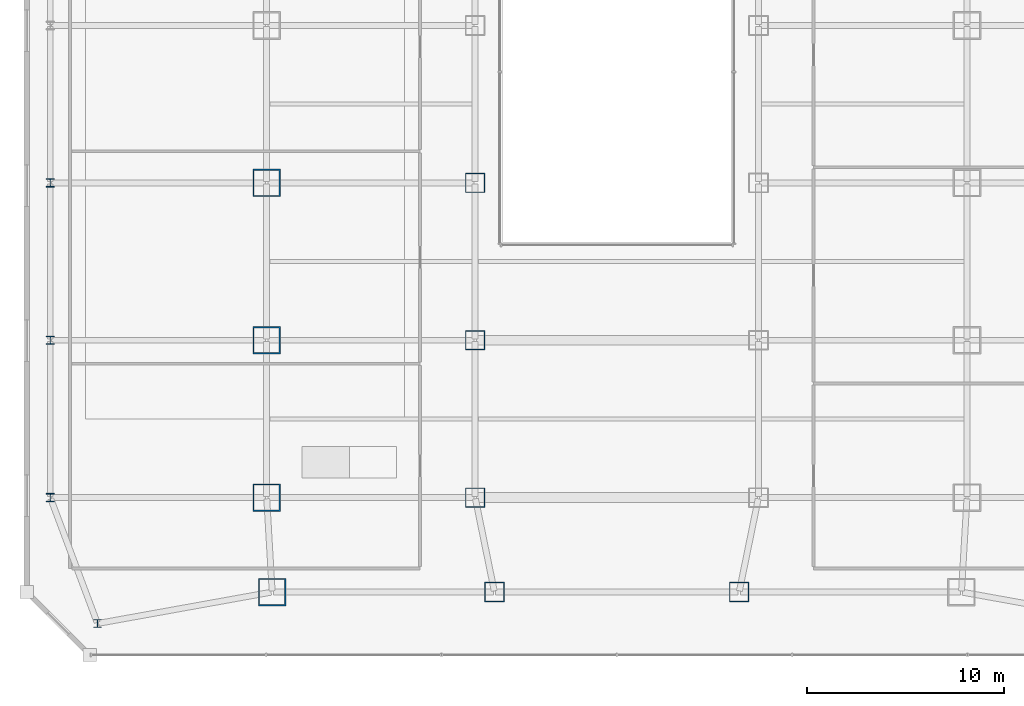
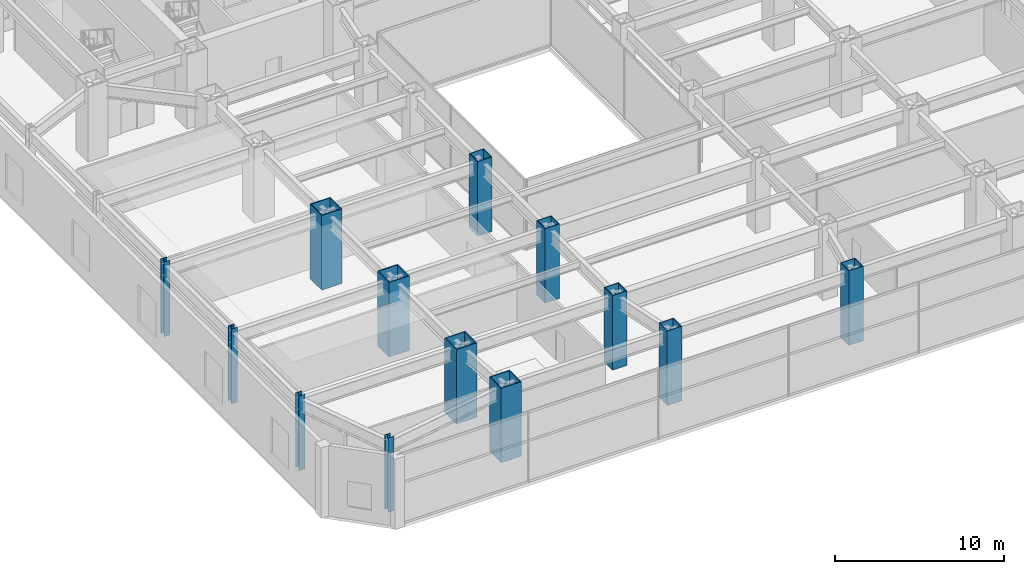
# One storey, part 1 of 52: 13 columns.
"""IFC4 building model written with IfcOpenShell, lengths in metres."""

from ifc_helpers import new_model, si_unit, direction, frame, origin, origin_2d, place, context, subcontext, project, spatial, hollow_rectangle, i_section, extrude, material, material_profile, profile_set, type_object, element, save


model = new_model("IFC4")

# Units and contexts
model_context = context("Model", 3, precision=1e-05, world=origin(), true_north=direction((0.0, 1.0)))
body_context = subcontext(model_context, "Body", "Model", "MODEL_VIEW")
ifc_project = project(units=[si_unit("LENGTHUNIT", "METRE"), si_unit("AREAUNIT", "SQUARE_METRE"), si_unit("VOLUMEUNIT", "CUBIC_METRE"), si_unit("PLANEANGLEUNIT", "RADIAN"), si_unit("MASSUNIT", "GRAM", prefix="KILO")], contexts=[model_context])

# Site, building, storey
site_placement = place(None, origin())
site = spatial("IfcSite", under=ifc_project, at=site_placement, CompositionType="ELEMENT")
building_placement = place(site_placement, origin())
building = spatial("IfcBuilding", under=site, at=building_placement, Name="Saevonmaru Cultural Tower", CompositionType="ELEMENT")
storey_placement = place(building_placement, frame((0.0, 0.0, 16.800048828125)))
storey = spatial("IfcBuildingStorey", under=building, at=storey_placement, Name="L03", CompositionType="ELEMENT", Elevation=16.800048828125)

# Columns
ifc_material_1 = material(Name="Steel SM420", Category="steel")
ifc_material_profile_1 = material_profile(ifc_material_1, hollow_rectangle(XDim=1.0, YDim=1.0, WallThickness=0.044921875, at=origin_2d()), Name="BOX-1000x1000x45")
ifc_profile_set_1 = profile_set([ifc_material_profile_1], Name="Steel SM420")
column_type_1 = type_object("IfcColumnType", Name="COL-BOX-1000", PredefinedType="COLUMN", material=ifc_profile_set_1)
for number, where, z_axis, x_axis, name in (
    (1, (23.780029296875, 3.199951171875, 0.0), (0.0, 0.0, 1.0), (1.0, 0.0, 0.0), "L03 Column PC-W2-A"),
    (2, (36.219970703125, 3.199951171875, 0.0), (0.0, 0.0, 1.0), (1.0, 0.0, 0.0), "L03 Column PC-E2-A"),
    (3, (22.800048828125, 8.0, 0.0), (0.0, 0.0, 1.0), (1.0, 0.0, 0.0), "L03 Column PC-W2-B"),
    (4, (22.800048828125, 16.0, 0.0), (0.0, 0.0, 1.0), (1.0, 0.0, 0.0), "L03 Column PC-W2-C"),
    (5, (22.800048828125, 24.0, 0.0), (0.0, 0.0, 1.0), (1.0, 0.0, 0.0), "L03 Column PC-W2-D"),
):
    element("IfcColumn", number, at=place(storey_placement, frame(where, z_axis=z_axis, x_axis=x_axis)), inside=storey, type_object=column_type_1, Name=name, PredefinedType="COLUMN", context=body_context, shape_type="SweptSolid", body=[
        extrude(hollow_rectangle(XDim=1.0, YDim=1.0, WallThickness=0.044921875, at=origin_2d()), origin(), (0.0, 0.0, 1.0), 5.39990234375),
    ])
ifc_material_2 = material(Name="Steel HSA600 (600 MPa)", Category="steel")
ifc_material_profile_2 = material_profile(ifc_material_2, hollow_rectangle(XDim=1.39990234375, YDim=1.39990234375, WallThickness=0.06494140625, at=origin_2d()), Name="BOX-1400x1400x65")
ifc_profile_set_2 = profile_set([ifc_material_profile_2], Name="Steel HSA600 (600 MPa)")
column_type_2 = type_object("IfcColumnType", Name="COL-BOX-1400", PredefinedType="COLUMN", material=ifc_profile_set_2)
for number, where, z_axis, x_axis, name in (
    (6, (12.47998046875, 3.199951171875, 0.0), (0.0, 0.0, 1.0), (1.0, 0.0, 0.0), "L03 Column PC-W1-A"),
    (7, (12.199951171875, 8.0, 0.0), (0.0, 0.0, 1.0), (1.0, 0.0, 0.0), "L03 Column PC-W1-B"),
    (8, (12.199951171875, 16.0, 0.0), (0.0, 0.0, 1.0), (1.0, 0.0, 0.0), "L03 Column PC-W1-C"),
    (9, (12.199951171875, 24.0, 0.0), (0.0, 0.0, 1.0), (1.0, 0.0, 0.0), "L03 Column PC-W1-D"),
):
    element("IfcColumn", number, at=place(storey_placement, frame(where, z_axis=z_axis, x_axis=x_axis)), inside=storey, type_object=column_type_2, Name=name, PredefinedType="COLUMN", context=body_context, shape_type="SweptSolid", body=[
        extrude(hollow_rectangle(XDim=1.39990234375, YDim=1.39990234375, WallThickness=0.06494140625, at=origin_2d()), origin(), (0.0, 0.0, 1.0), 5.39990234375),
    ])
ifc_material_3 = material(Name="Steel SM355", Category="steel")
ifc_material_profile_3 = material_profile(ifc_material_3, i_section(OverallWidth=0.39990234375, OverallDepth=0.39990234375, WebThickness=0.012939453125, FlangeThickness=0.02099609375, FilletRadius=0.02197265625, at=origin_2d()), Name="H-400x400x13x21")
ifc_profile_set_3 = profile_set([ifc_material_profile_3], Name="Steel SM355")
column_type_3 = type_object("IfcColumnType", Name="COL-H-400", PredefinedType="COLUMN", material=ifc_profile_set_3)
column_placement = place(storey_placement, frame((3.60009765625, 1.60009765625, 0.0), z_axis=(0.0, 0.0, 1.0), x_axis=(1.0, 0.0, 0.0)))
element("IfcColumn", 10, at=column_placement, inside=storey, type_object=column_type_3, Name="L03 Column PC-PS-SW", PredefinedType="COLUMN", context=body_context, shape_type="SweptSolid", body=[
    extrude(i_section(OverallWidth=0.39990234375, OverallDepth=0.39990234375, WebThickness=0.012939453125, FlangeThickness=0.02099609375, FilletRadius=0.02197265625, at=origin_2d()), origin(), (0.0, 0.0, 1.0), 5.39990234375),
])
ifc_material_profile_4 = material_profile(ifc_material_1, i_section(OverallWidth=0.419921875, OverallDepth=0.419921875, WebThickness=0.02001953125, FlangeThickness=0.034912109375, FilletRadius=0.02197265625, at=origin_2d()), Name="H-428x407x20x35")
ifc_profile_set_4 = profile_set([ifc_material_profile_4], Name="Steel SM420")
column_type_4 = type_object("IfcColumnType", Name="COL-H-428", PredefinedType="COLUMN", material=ifc_profile_set_4)
for number, where, z_axis, x_axis, name in (
    (11, (1.199951171875, 8.0, 0.0), (0.0, 0.0, 1.0), (1.0, 0.0, 0.0), "L03 Column PC-PW-B"),
    (12, (1.199951171875, 16.0, 0.0), (0.0, 0.0, 1.0), (1.0, 0.0, 0.0), "L03 Column PC-PW-C"),
    (13, (1.199951171875, 24.0, 0.0), (0.0, 0.0, 1.0), (1.0, 0.0, 0.0), "L03 Column PC-PW-D"),
):
    element("IfcColumn", number, at=place(storey_placement, frame(where, z_axis=z_axis, x_axis=x_axis)), inside=storey, type_object=column_type_4, Name=name, PredefinedType="COLUMN", context=body_context, shape_type="SweptSolid", body=[
        extrude(i_section(OverallWidth=0.419921875, OverallDepth=0.419921875, WebThickness=0.02001953125, FlangeThickness=0.034912109375, FilletRadius=0.02197265625, at=origin_2d()), origin(), (0.0, 0.0, 1.0), 5.39990234375),
    ])

save(model, "model.ifc")
